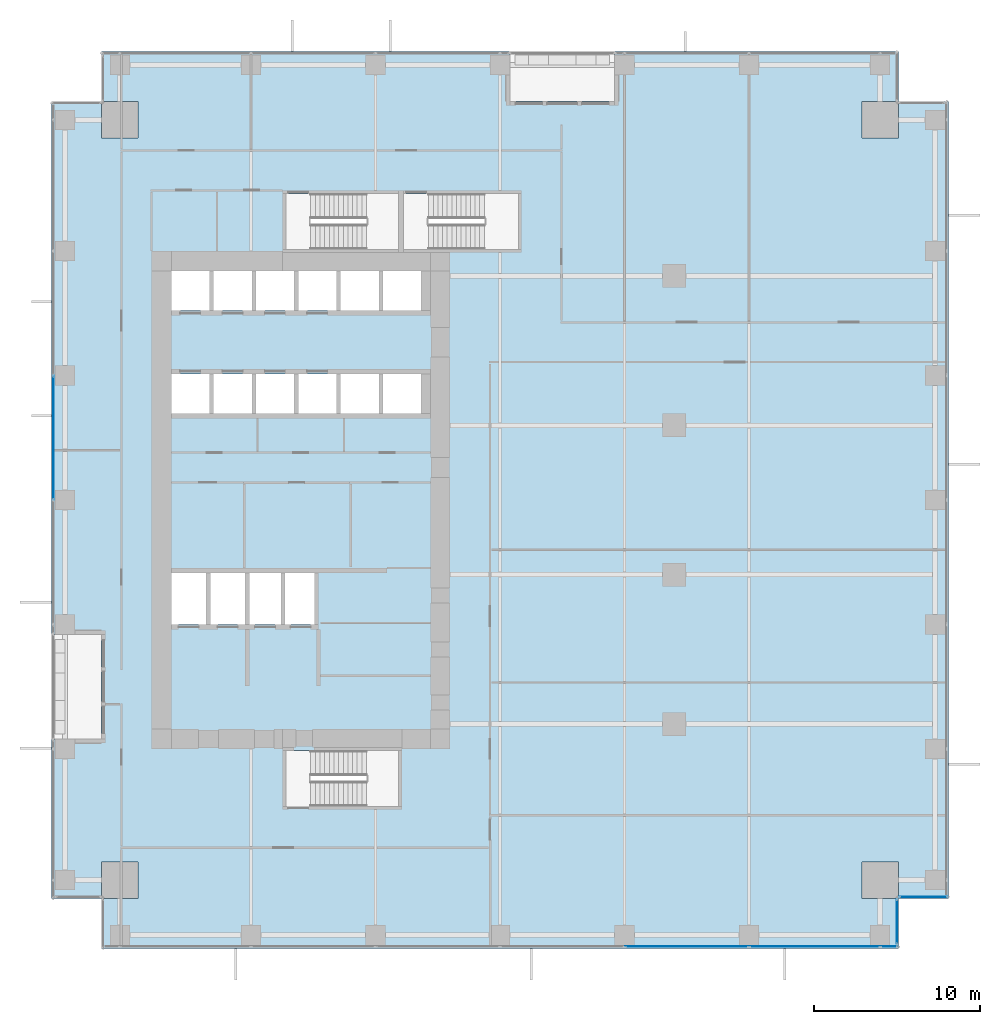
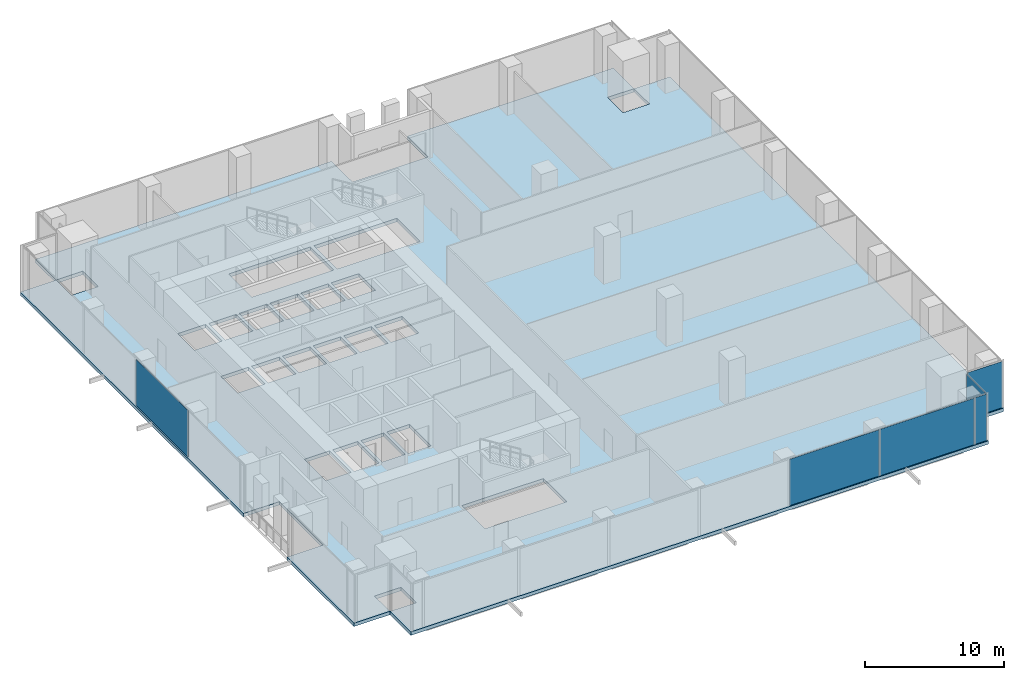
# One storey, part 23 of 33: 6 plates, 1 slab, 4 elements without a shape of their own.
"""IFC4 building model written with IfcOpenShell, lengths in metres."""

from ifc_helpers import new_model, si_unit, direction, frame, origin, origin_2d, place, context, subcontext, project, spatial, polyline, rectangle, outline, extrude, source, transform, mapped, material, layer, layer_set, type_object, element, aggregate, save


model = new_model("IFC4")

# Units and contexts
model_context = context("Model", 3, precision=1e-05, world=origin(), true_north=direction((0.0, 1.0)))
body_context = subcontext(model_context, "Body", "Model", "MODEL_VIEW")
ifc_project = project(units=[si_unit("LENGTHUNIT", "METRE"), si_unit("AREAUNIT", "SQUARE_METRE"), si_unit("VOLUMEUNIT", "CUBIC_METRE"), si_unit("PLANEANGLEUNIT", "RADIAN"), si_unit("MASSUNIT", "GRAM", prefix="KILO")], contexts=[model_context])

# Site, building, storey
site_placement = place(None, origin())
site = spatial("IfcSite", under=ifc_project, at=site_placement, CompositionType="ELEMENT")
building_placement = place(site_placement, origin())
building = spatial("IfcBuilding", under=site, at=building_placement, Name="Khomas Fold Tower", CompositionType="ELEMENT")
storey_placement = place(building_placement, frame((0.0, 0.0, 55.5)))
storey = spatial("IfcBuildingStorey", under=building, at=storey_placement, Name="L11", CompositionType="ELEMENT", Elevation=55.5)

# Slab
ifc_material_1 = material(Name="Concrete C40/50", Category="concrete")
ifc_layer_1 = layer(ifc_material_1, 0.300048828125)
ifc_layer_set_1 = layer_set([ifc_layer_1], Name="Concrete C40/50")
slab_type = type_object("IfcSlabType", Name="RC floor slab 300", PredefinedType="FLOOR", material=ifc_layer_set_1)
shared_shape_1 = source(origin(), body_context, "Body", "SweptSolid", [
    extrude(outline(polyline([(0.0, 3.0), (2.9951171875, 3.0), (2.9951171875, 5.205078125), (5.205078125, 5.205078125), (5.205078125, 2.9951171875), (3.0, 2.9951171875), (3.0, 0.0), (51.0, 0.0), (51.0, 2.9951171875), (48.794921875, 2.9951171875), (48.794921875, 5.205078125), (51.0048828125, 5.205078125), (51.0048828125, 3.0), (54.0, 3.0), (54.0, 51.0), (51.0048828125, 51.0), (51.0048828125, 48.794921875), (48.794921875, 48.794921875), (48.794921875, 51.0048828125), (51.0, 51.0048828125), (51.0, 54.0), (33.89990234375, 54.0), (33.89990234375, 51.0), (27.60009765625, 51.0), (27.60009765625, 54.0), (3.0, 54.0), (3.0, 51.0048828125), (5.205078125, 51.0048828125), (5.205078125, 48.794921875), (2.9951171875, 48.794921875), (2.9951171875, 51.0), (0.0, 51.0), (0.0, 18.89990234375), (3.0, 18.89990234375), (3.0, 12.60009765625), (0.0, 12.60009765625), (0.0, 3.0)]), holes=[polyline([(7.199951171875, 19.5), (7.199951171875, 22.60009765625), (9.300048828125, 22.60009765625), (9.300048828125, 19.5), (7.199951171875, 19.5)]), polyline([(7.199951171875, 32.199951171875), (7.199951171875, 34.60009765625), (9.5, 34.60009765625), (9.5, 32.199951171875), (7.199951171875, 32.199951171875)]), polyline([(7.199951171875, 38.39990234375), (7.199951171875, 40.800048828125), (9.5, 40.800048828125), (9.5, 38.39990234375), (7.199951171875, 38.39990234375)]), polyline([(9.550048828125, 19.5), (9.550048828125, 22.60009765625), (11.64990234375, 22.60009765625), (11.64990234375, 19.5), (9.550048828125, 19.5)]), polyline([(9.75, 32.199951171875), (9.75, 34.60009765625), (12.050048828125, 34.60009765625), (12.050048828125, 32.199951171875), (9.75, 32.199951171875)]), polyline([(9.75, 38.39990234375), (9.75, 40.800048828125), (12.050048828125, 40.800048828125), (12.050048828125, 38.39990234375), (9.75, 38.39990234375)]), polyline([(11.89990234375, 19.5), (11.89990234375, 22.60009765625), (13.800048828125, 22.60009765625), (13.800048828125, 19.5), (11.89990234375, 19.5)]), polyline([(12.300048828125, 32.199951171875), (12.300048828125, 34.60009765625), (14.60009765625, 34.60009765625), (14.60009765625, 32.199951171875), (12.300048828125, 32.199951171875)]), polyline([(12.300048828125, 38.39990234375), (12.300048828125, 40.800048828125), (14.60009765625, 40.800048828125), (14.60009765625, 38.39990234375), (12.300048828125, 38.39990234375)]), polyline([(14.050048828125, 19.5), (14.050048828125, 22.60009765625), (15.949951171875, 22.60009765625), (15.949951171875, 19.5), (14.050048828125, 19.5)]), polyline([(14.10009765625, 8.550048828125), (14.10009765625, 11.89990234375), (20.89990234375, 11.89990234375), (20.89990234375, 8.550048828125), (14.10009765625, 8.550048828125)]), polyline([(14.10009765625, 42.10009765625), (14.10009765625, 45.449951171875), (20.89990234375, 45.449951171875), (20.89990234375, 42.10009765625), (14.10009765625, 42.10009765625)]), polyline([(14.85009765625, 32.199951171875), (14.85009765625, 34.60009765625), (17.14990234375, 34.60009765625), (17.14990234375, 32.199951171875), (14.85009765625, 32.199951171875)]), polyline([(14.85009765625, 38.39990234375), (14.85009765625, 40.800048828125), (17.14990234375, 40.800048828125), (17.14990234375, 38.39990234375), (14.85009765625, 38.39990234375)]), polyline([(17.39990234375, 32.199951171875), (17.39990234375, 34.60009765625), (19.699951171875, 34.60009765625), (19.699951171875, 32.199951171875), (17.39990234375, 32.199951171875)]), polyline([(17.39990234375, 38.39990234375), (17.39990234375, 40.800048828125), (19.699951171875, 40.800048828125), (19.699951171875, 38.39990234375), (17.39990234375, 38.39990234375)]), polyline([(19.949951171875, 32.199951171875), (19.949951171875, 34.60009765625), (22.25, 34.60009765625), (22.25, 32.199951171875), (19.949951171875, 32.199951171875)]), polyline([(19.949951171875, 38.39990234375), (19.949951171875, 40.800048828125), (22.25, 40.800048828125), (22.25, 38.39990234375), (19.949951171875, 38.39990234375)]), polyline([(21.199951171875, 42.10009765625), (21.199951171875, 45.449951171875), (28.10009765625, 45.449951171875), (28.10009765625, 42.10009765625), (21.199951171875, 42.10009765625)])]), origin(), (0.0, 0.0, 1.0), 0.300048828125),
])
slab_placement = place(storey_placement, frame((0.0, 0.0, -0.300048828125)))
element("IfcSlab", 1, at=slab_placement, inside=storey, type_object=slab_type, Name="S-L11", PredefinedType="FLOOR", context=body_context, shape_type="MappedRepresentation", body=[
    mapped(shared_shape_1, transform((0.0, 0.0, 0.0))),
])

# Curtain wall, plates
ifc_material_2 = material(Name="Aluminium framed double glazing", Category="aluminium")
curtain_wall_type = type_object("IfcCurtainWallType", Name="SK-Unitised clear-glass wall, growing floors CW1", PredefinedType="NOTDEFINED", material=ifc_material_2)
curtain_wall_1_placement = place(storey_placement, origin())
curtain_wall_1 = element("IfcCurtainWall", 2, at=curtain_wall_1_placement, inside=storey, type_object=curtain_wall_type, Name="CW1 run L11 00-0", PredefinedType="NOTDEFINED")
ifc_material_3 = material(Name="Clear double glazed unit")
ifc_layer_2 = layer(ifc_material_3, 0.031982421875)
ifc_layer_set_2 = layer_set([ifc_layer_2], Name="Clear double glazed unit")
plate_type = type_object("IfcPlateType", Name="SK-Unitised clear-glass wall, growing floors glass panel CW1-P", PredefinedType="CURTAIN_PANEL", material=ifc_layer_set_2)
shared_shape_2 = source(origin(), body_context, "Body", "SweptSolid", [
    extrude(rectangle(XDim=7.840087890625, YDim=0.031982421875, at=origin_2d()), origin(), (0.0, 0.0, 1.0), 4.080078125),
])
plate_1_placement = place(storey_placement, frame((45.949951171875, 0.10009765625, 0.0), z_axis=(0.0, 0.0, 1.0), x_axis=(1.0, 0.0, 0.0)))
plate_1 = element("IfcPlate", 3, at=plate_1_placement, type_object=plate_type, Name="CW1 glass panel 7", PredefinedType="CURTAIN_PANEL", context=body_context, shape_type="MappedRepresentation", body=[
    mapped(shared_shape_2, transform((0.0, 0.0, 0.0))),
])
shared_shape_3 = source(origin(), body_context, "Body", "SweptSolid", [
    extrude(rectangle(XDim=7.43994140625, YDim=0.031982421875, at=origin_2d()), origin(), (0.0, 0.0, 1.0), 4.080078125),
])
plate_2_placement = place(storey_placement, frame((38.25, 0.10009765625, 0.0), z_axis=(0.0, 0.0, 1.0), x_axis=(1.0, 0.0, 0.0)))
plate_2 = element("IfcPlate", 4, at=plate_2_placement, type_object=plate_type, Name="CW1 glass panel 6", PredefinedType="CURTAIN_PANEL", context=body_context, shape_type="MappedRepresentation", body=[
    mapped(shared_shape_3, transform((0.0, 0.0, 0.0))),
])

# Curtain wall, plate
curtain_wall_2_placement = place(storey_placement, origin())
curtain_wall_2 = element("IfcCurtainWall", 5, at=curtain_wall_2_placement, inside=storey, type_object=curtain_wall_type, Name="CW1 run L11 09-0", PredefinedType="NOTDEFINED")
plate_3_placement = place(storey_placement, frame((0.10009765625, 30.75, 0.0), z_axis=(0.0, 0.0, 1.0), x_axis=(0.0, -1.0, 0.0)))
plate_3 = element("IfcPlate", 6, at=plate_3_placement, type_object=plate_type, Name="CW1 glass panel 4", PredefinedType="CURTAIN_PANEL", context=body_context, shape_type="MappedRepresentation", body=[
    mapped(shared_shape_3, transform((0.0, 0.0, 0.0))),
])
aggregate(curtain_wall_2, [plate_3])

# Plate
shared_shape_4 = source(origin(), body_context, "Body", "SweptSolid", [
    extrude(rectangle(XDim=1.010009765625, YDim=0.031982421875, at=origin_2d()), origin(), (0.0, 0.0, 1.0), 4.080078125),
])
plate_4_placement = place(storey_placement, frame((50.43505859375, 0.10009765625, 0.0), z_axis=(0.0, 0.0, 1.0), x_axis=(1.0, 0.0, 0.0)))
plate_4 = element("IfcPlate", 7, at=plate_4_placement, type_object=plate_type, Name="CW1 glass panel 8", PredefinedType="CURTAIN_PANEL", context=body_context, shape_type="MappedRepresentation", body=[
    mapped(shared_shape_4, transform((0.0, 0.0, 0.0))),
])

aggregate(curtain_wall_1, [plate_2, plate_1, plate_4])

# Curtain wall, plate
curtain_wall_3_placement = place(storey_placement, origin())
curtain_wall_3 = element("IfcCurtainWall", 8, at=curtain_wall_3_placement, inside=storey, type_object=curtain_wall_type, Name="CW1 corner return L11 01", PredefinedType="NOTDEFINED")
shared_shape_5 = source(origin(), body_context, "Body", "SweptSolid", [
    extrude(rectangle(XDim=2.679931640625, YDim=0.031982421875, at=origin_2d()), origin(), (0.0, 0.0, 1.0), 4.080078125),
])
plate_5_placement = place(storey_placement, frame((50.89990234375, 1.60009765625, 0.0), z_axis=(0.0, 0.0, 1.0), x_axis=(0.0, 1.0, 0.0)))
plate_5 = element("IfcPlate", 9, at=plate_5_placement, type_object=plate_type, Name="CW1 glass panel 1", PredefinedType="CURTAIN_PANEL", context=body_context, shape_type="MappedRepresentation", body=[
    mapped(shared_shape_5, transform((0.0, 0.0, 0.0))),
])
aggregate(curtain_wall_3, [plate_5])

curtain_wall_4_placement = place(storey_placement, origin())
curtain_wall_4 = element("IfcCurtainWall", 10, at=curtain_wall_4_placement, inside=storey, type_object=curtain_wall_type, Name="CW1 corner return L11 02", PredefinedType="NOTDEFINED")
shared_shape_6 = source(origin(), body_context, "Body", "SweptSolid", [
    extrude(rectangle(XDim=2.8798828125, YDim=0.031982421875, at=origin_2d()), origin(), (0.0, 0.0, 1.0), 4.080078125),
])
plate_6_placement = place(storey_placement, frame((52.5, 3.10009765625, 0.0), z_axis=(0.0, 0.0, 1.0), x_axis=(1.0, 0.0, 0.0)))
plate_6 = element("IfcPlate", 11, at=plate_6_placement, type_object=plate_type, Name="CW1 glass panel 1", PredefinedType="CURTAIN_PANEL", context=body_context, shape_type="MappedRepresentation", body=[
    mapped(shared_shape_6, transform((0.0, 0.0, 0.0))),
])
aggregate(curtain_wall_4, [plate_6])

save(model, "model.ifc")
